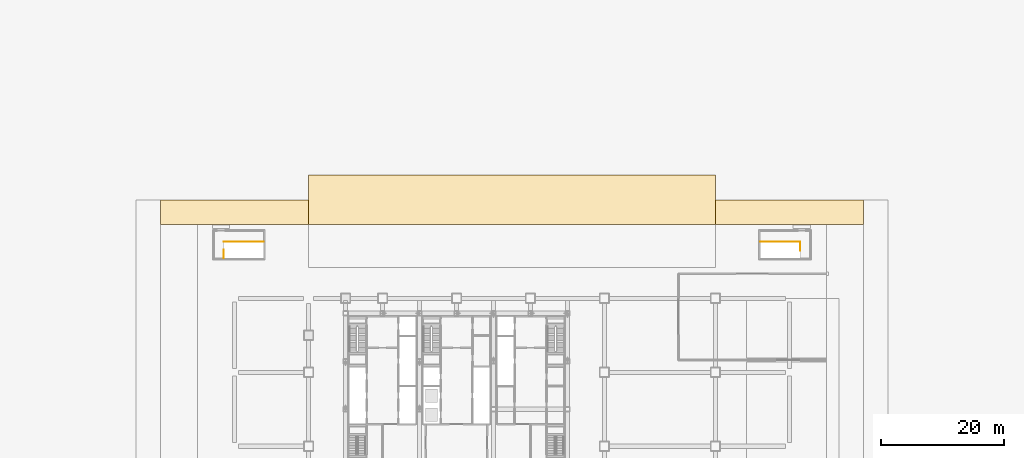
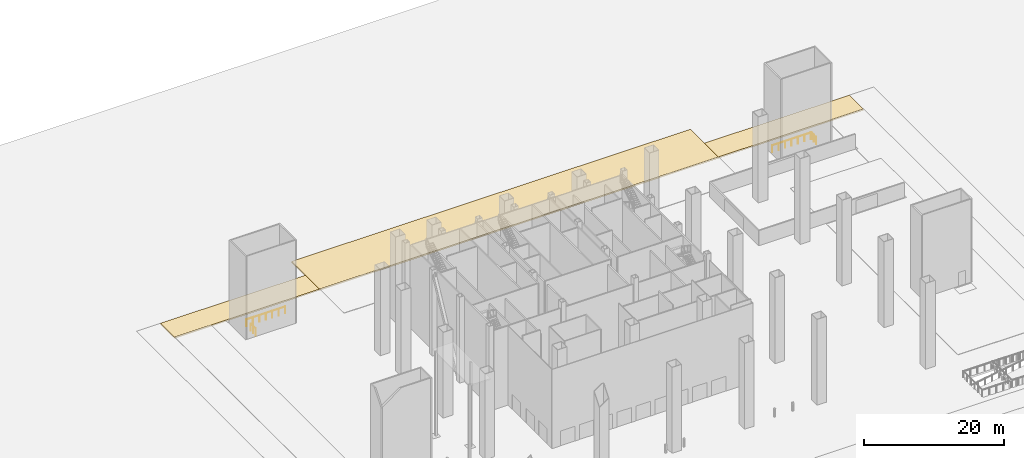
# One storey, part 20 of 22: 4 railings, 3 coverings.
"""IFC4 building model written with IfcOpenShell, lengths in metres."""

import ifcopenshell
import ifcopenshell.guid

model = None  # the IFC model being written
_history = None  # IfcOwnerHistory: only IFC2X3 demands one
_inside = {}  # id of a spatial element -> (the spatial element, [elements in it])
_under = {}  # id of a project, library or spatial element -> (it, [spatial elements below it])
_declared = {}  # id of a project -> (the project, [libraries it declares])
_typed = {}  # id of a type object -> (the type object, [elements of that type])
_made_of = {}  # id of a material, layer set ... -> (it, [elements and type objects made of it])


def new_model(schema):
    """Start an empty IFC model of exactly this schema.

    Asked for "IFC4X3", IfcOpenShell would pick the latest addendum, in which some entities
    have other attributes; the version numbers below select the first issue.
    IFC2X3 requires an IfcOwnerHistory on every rooted entity: one is made here for all.
    """
    global model, _history
    if schema == "IFC4X3":
        model = ifcopenshell.file(schema_version=(4, 3, 0, 0))
    else:
        model = ifcopenshell.file(schema=schema)
    _inside.clear()
    _under.clear()
    _declared.clear()
    _typed.clear()
    _made_of.clear()
    _history = None
    if model.schema == "IFC2X3":
        org = make("IfcOrganization", Name="unknown")
        user = make(
            "IfcPersonAndOrganization",
            ThePerson=make("IfcPerson", FamilyName="unknown"),
            TheOrganization=org,
        )
        app = make(
            "IfcApplication",
            ApplicationDeveloper=org,
            Version="unknown",
            ApplicationFullName="unknown",
            ApplicationIdentifier="unknown",
        )
        _history = make(
            "IfcOwnerHistory",
            OwningUser=user,
            OwningApplication=app,
            ChangeAction="ADDED",
            CreationDate=0,
        )
    return model


def make(cls, **values):
    """One entity of the class cls with the attributes given. An attribute that is None is left unset."""
    return model.create_entity(
        cls, **{name: value for name, value in values.items() if value is not None}
    )


def rooted(cls, **values):
    """An entity with a GlobalId (a new one), such as an element, a storey or a relation."""
    return make(cls, GlobalId=ifcopenshell.guid.new(), OwnerHistory=_history, **values)


def si_unit(unit_type, name, prefix=None):
    """IfcSIUnit, for example si_unit("LENGTHUNIT", "METRE", prefix="MILLI")."""
    return make("IfcSIUnit", UnitType=unit_type, Prefix=prefix, Name=name)


def assignment(units):
    """IfcUnitAssignment: the units of a project."""
    return None if units is None else make("IfcUnitAssignment", Units=units)


def point(xyz):
    """IfcCartesianPoint."""
    return None if xyz is None else make("IfcCartesianPoint", Coordinates=xyz)


def direction(xyz):
    """IfcDirection."""
    return None if xyz is None else make("IfcDirection", DirectionRatios=xyz)


def frame(location, z_axis=None, x_axis=None):
    """IfcAxis2Placement3D, a coordinate frame: its origin and axes. An axis left out is left unset."""
    return make(
        "IfcAxis2Placement3D",
        Location=point(location),
        Axis=direction(z_axis),
        RefDirection=direction(x_axis),
    )


def frame_2d(location, x_axis=None):
    """IfcAxis2Placement2D, a coordinate frame in the plane: its origin and x axis."""
    return make(
        "IfcAxis2Placement2D", Location=point(location), RefDirection=direction(x_axis)
    )


def origin():
    """The frame at (0, 0, 0) with its axes left unset."""
    return frame((0.0, 0.0, 0.0))


def origin_2d():
    """The frame at (0, 0) in the plane with its x axis left unset."""
    return frame_2d((0.0, 0.0))


def place(relative_to, where):
    """IfcLocalPlacement: puts the frame where relative to a parent placement (None: the world)."""
    return make(
        "IfcLocalPlacement", PlacementRelTo=relative_to, RelativePlacement=where
    )


def context(
    kind, dimensions, precision=None, world=None, true_north=None, identifier=None
):
    """IfcGeometricRepresentationContext, for example the 3D "Model" context."""
    return make(
        "IfcGeometricRepresentationContext",
        ContextIdentifier=identifier,
        ContextType=kind,
        CoordinateSpaceDimension=dimensions,
        Precision=precision,
        WorldCoordinateSystem=world,
        TrueNorth=true_north,
    )


def subcontext(parent, identifier, kind, view, scale=None):
    """IfcGeometricRepresentationSubContext, for example "Body" below "Model"."""
    return make(
        "IfcGeometricRepresentationSubContext",
        ContextIdentifier=identifier,
        ContextType=kind,
        ParentContext=parent,
        TargetScale=scale,
        TargetView=view,
    )


def project(units=None, contexts=None):
    """IfcProject with its units and contexts."""
    return rooted(
        "IfcProject",
        Name="project",
        RepresentationContexts=contexts,
        UnitsInContext=assignment(units),
    )


def spatial(cls, under=None, at=None, **own):
    """A site, building, storey or space (cls), placed at a placement, below another one or the project."""
    s = rooted(cls, ObjectPlacement=at, **own)
    if under is not None:
        _under.setdefault(under.id(), (under, []))[1].append(s)
    return s


def polyline(points):
    """IfcPolyline through the points."""
    return make("IfcPolyline", Points=[point(p) for p in points])


def profile(cls, at=None, kind="AREA", **sizes):
    """A parametric profile (cls). Its sizes go by their IFC names, for example OverallWidth=200.0."""
    return make(cls, ProfileType=kind, Position=at, **sizes)


def circle(**sizes):
    """IfcCircleProfileDef."""
    return profile("IfcCircleProfileDef", **sizes)


def outline(outer, holes=None, kind="AREA"):
    """IfcArbitraryClosedProfileDef: a profile drawn as a closed curve; with holes, ...WithVoids."""
    if holes is None:
        return make("IfcArbitraryClosedProfileDef", ProfileType=kind, OuterCurve=outer)
    return make(
        "IfcArbitraryProfileDefWithVoids",
        ProfileType=kind,
        OuterCurve=outer,
        InnerCurves=holes,
    )


def extrude(swept, where, along, depth):
    """IfcExtrudedAreaSolid: the profile swept, set in the frame where, extruded along a direction by depth."""
    return make(
        "IfcExtrudedAreaSolid",
        SweptArea=swept,
        Position=where,
        ExtrudedDirection=direction(along),
        Depth=depth,
    )


def shape(context_of_items, identifier, shape_type, items):
    """IfcShapeRepresentation: the items that make up one representation, for example the "Body"."""
    return make(
        "IfcShapeRepresentation",
        ContextOfItems=context_of_items,
        RepresentationIdentifier=identifier,
        RepresentationType=shape_type,
        Items=items,
    )


def material(Name=None, Category=None):
    """IfcMaterial."""
    return make("IfcMaterial", Name=Name, Category=Category)


def layer(
    of_material, thickness, ventilated=None, Name=None, Category=None, Priority=None
):
    """IfcMaterialLayer: one layer of a wall or slab, of a material (None: an air gap)."""
    return make(
        "IfcMaterialLayer",
        Material=of_material,
        LayerThickness=thickness,
        IsVentilated=ventilated,
        Name=Name,
        Category=Category,
        Priority=Priority,
    )


def layer_set(layers, Name=None):
    """IfcMaterialLayerSet."""
    return make("IfcMaterialLayerSet", MaterialLayers=layers, LayerSetName=Name)


def made_of(thing, what):
    """Note that an element or type object is made of a material, layer set ...; save() writes the relation."""
    if what is not None:
        _made_of.setdefault(what.id(), (what, []))[1].append(thing)
    return thing


def type_object(cls, material=None, **own):
    """A type object (cls), such as IfcWallType, which elements share."""
    return made_of(rooted(cls, **own), material)


def element(
    cls,
    number,
    at=None,
    inside=None,
    cuts=None,
    type_object=None,
    material=None,
    context=None,
    identifier="Body",
    shape_type=None,
    held_by="IfcProductDefinitionShape",
    body=None,
    shapes=None,
    **own,
):
    """One element of the class cls, such as IfcWall. Its Tag is "e" and its number.

    at: its placement. inside: the storey or other place that contains it. cuts: it is an
    opening in that element (IfcRelVoidsElement). A single representation is given by context,
    identifier, shape_type and body (its items); several are given by shapes. held_by: the class
    of the entity that holds the representations. save() writes the other relations.
    """
    e = rooted(cls, Tag="e%d" % number, ObjectPlacement=at, **own)
    if body is not None:
        shapes = [shape(context, identifier, shape_type, body)]
    if shapes is not None:
        e.Representation = make(held_by, Representations=shapes)
    if inside is not None:
        _inside.setdefault(inside.id(), (inside, []))[1].append(e)
    if cuts is not None:
        rooted(
            "IfcRelVoidsElement", RelatingBuildingElement=cuts, RelatedOpeningElement=e
        )
    if type_object is not None:
        _typed.setdefault(type_object.id(), (type_object, []))[1].append(e)
    return made_of(e, material)


def aggregate(whole, parts):
    """IfcRelAggregates: a whole, such as a stair, and the parts it consists of."""
    return rooted("IfcRelAggregates", RelatingObject=whole, RelatedObjects=parts)


def save(model, path):
    """Write the relations noted so far, then the file.

    IfcRelAggregates (storeys below a building ...), IfcRelContainedInSpatialStructure (elements
    in a storey), IfcRelDefinesByType, IfcRelAssociatesMaterial and IfcRelDeclares: one each for
    every whole, place, type object, material and project.
    """
    for whole, parts in _under.values():
        aggregate(whole, parts)
    for where, things in _inside.values():
        rooted(
            "IfcRelContainedInSpatialStructure",
            RelatedElements=things,
            RelatingStructure=where,
        )
    for kind, things in _typed.values():
        rooted("IfcRelDefinesByType", RelatedObjects=things, RelatingType=kind)
    for what, things in _made_of.values():
        rooted("IfcRelAssociatesMaterial", RelatedObjects=things, RelatingMaterial=what)
    for by, libraries in _declared.values():
        rooted("IfcRelDeclares", RelatingContext=by, RelatedDefinitions=libraries)
    model.write(path)


model = new_model("IFC4")

# Units and contexts
model_context = context("Model", 3, precision=1e-05, world=origin(), true_north=direction((0.0, 1.0)))
body_context = subcontext(model_context, "Body", "Model", "MODEL_VIEW")
ifc_project = project(units=[si_unit("LENGTHUNIT", "METRE"), si_unit("AREAUNIT", "SQUARE_METRE"), si_unit("VOLUMEUNIT", "CUBIC_METRE"), si_unit("PLANEANGLEUNIT", "RADIAN"), si_unit("MASSUNIT", "GRAM", prefix="KILO")], contexts=[model_context])

# Site, building, storey
site_placement = place(None, origin())
site = spatial("IfcSite", under=ifc_project, at=site_placement, CompositionType="ELEMENT")
building_placement = place(site_placement, origin())
building = spatial("IfcBuilding", under=site, at=building_placement, Name="Sorahane Residences", CompositionType="ELEMENT")
storey_placement = place(building_placement, origin())
storey = spatial("IfcBuildingStorey", under=building, at=storey_placement, Name="L00", CompositionType="ELEMENT", Elevation=0.0)

# Coverings
ifc_material_1 = material(Name="Concrete paving on compacted granular sub-base", Category="concrete")
ifc_layer_1 = layer(ifc_material_1, 0.25)
ifc_layer_set_1 = layer_set([ifc_layer_1], Name="Appliance hardstanding paving concrete 250")
covering_type_1 = type_object("IfcCoveringType", Name="Appliance hardstanding paving concrete 250", PredefinedType="USERDEFINED", material=ifc_layer_set_1)
covering_1_placement = place(storey_placement, frame((0.0, 0.0, -0.25)))
element("IfcCovering", 1, at=covering_1_placement, inside=storey, type_object=covering_type_1, Name="Appliance hardstanding north slab", ObjectType="PAVING", PredefinedType="USERDEFINED", context=body_context, shape_type="SweptSolid", body=[
    extrude(outline(polyline([(0.0, 68.0), (66.0, 68.0), (66.0, 60.0), (0.0, 60.0), (0.0, 68.0)])), origin(), (0.0, 0.0, 1.0), 0.25),
])
ifc_material_2 = material(Name="Concrete paving on compacted granular sub-base", Category="concrete")
ifc_layer_2 = layer(ifc_material_2, 0.25)
ifc_layer_set_2 = layer_set([ifc_layer_2], Name="Fire lane paving concrete 250")
covering_type_2 = type_object("IfcCoveringType", Name="Fire lane paving concrete 250", PredefinedType="USERDEFINED", material=ifc_layer_set_2)
covering_2_placement = place(storey_placement, frame((0.0, 0.0, -0.25)))
element("IfcCovering", 2, at=covering_2_placement, inside=storey, type_object=covering_type_2, Name="Fire lane north 1", ObjectType="PAVING", PredefinedType="USERDEFINED", context=body_context, shape_type="SweptSolid", body=[
    extrude(outline(polyline([(-24.0, 60.0), (-24.0, 64.0), (0.0, 64.0), (0.0, 60.0), (-24.0, 60.0)])), origin(), (0.0, 0.0, 1.0), 0.25),
])
covering_3_placement = place(storey_placement, frame((0.0, 0.0, -0.25)))
element("IfcCovering", 3, at=covering_3_placement, inside=storey, type_object=covering_type_2, Name="Fire lane north 2", ObjectType="PAVING", PredefinedType="USERDEFINED", context=body_context, shape_type="SweptSolid", body=[
    extrude(outline(polyline([(90.0, 64.0), (90.0, 60.0), (66.0, 60.0), (66.0, 64.0), (90.0, 64.0)])), origin(), (0.0, 0.0, 1.0), 0.25),
])

# Railings
ifc_material_3 = material(Name="Steel Q355B", Category="steel")
railing_type = type_object("IfcRailingType", Name="Stair guard 1200 Steel Q355B", PredefinedType="GUARDRAIL", material=ifc_material_3)
railing_1_placement = place(storey_placement, frame((-13.75, 54.5, 0.0)))
element("IfcRailing", 4, at=railing_1_placement, inside=storey, type_object=railing_type, Name="L00 BS1 top well guard 1", PredefinedType="GUARDRAIL", context=body_context, shape_type="SweptSolid", body=[
    extrude(circle(Radius=0.02392578125, at=origin_2d()), frame((0.0, 0.0, 1.23583984375), z_axis=(0.0, 1.0, 0.0), x_axis=(-1.0, 0.0, 0.0)), (0.0, 0.0, 1.0), 1.39990234375),
    extrude(circle(Radius=0.02099609375, at=origin_2d()), origin(), (0.0, 0.0, 1.0), 1.2119140625),
    extrude(circle(Radius=0.02099609375, at=origin_2d()), frame((0.0, 0.699951171875, 0.0)), (0.0, 0.0, 1.0), 1.2119140625),
    extrude(circle(Radius=0.02099609375, at=origin_2d()), frame((0.0, 1.39990234375, 0.0)), (0.0, 0.0, 1.0), 1.2119140625),
])
railing_2_placement = place(storey_placement, frame((-13.699951171875, 57.199951171875, 0.0)))
element("IfcRailing", 5, at=railing_2_placement, inside=storey, type_object=railing_type, Name="L00 Basement stair BS1 guard", PredefinedType="GUARDRAIL", context=body_context, shape_type="SweptSolid", body=[
    extrude(circle(Radius=0.02392578125, at=origin_2d()), frame((0.0, 0.0, 1.17578125), z_axis=(1.0, 0.0, 0.0), x_axis=(0.0, 1.0, 0.0)), (0.0, 0.0, 1.0), 6.39990234375),
    extrude(circle(Radius=0.02099609375, at=origin_2d()), origin(), (0.0, 0.0, 1.0), 1.15185546875),
    extrude(circle(Radius=0.02099609375, at=origin_2d()), frame((1.066650390625, 0.0, 0.0)), (0.0, 0.0, 1.0), 1.15185546875),
    extrude(circle(Radius=0.02099609375, at=origin_2d()), frame((2.13330078125, 0.0, 0.0)), (0.0, 0.0, 1.0), 1.15185546875),
    extrude(circle(Radius=0.02099609375, at=origin_2d()), frame((3.199951171875, 0.0, 0.0)), (0.0, 0.0, 1.0), 1.15185546875),
    extrude(circle(Radius=0.02099609375, at=origin_2d()), frame((4.2666015625, 0.0, 0.0)), (0.0, 0.0, 1.0), 1.15185546875),
    extrude(circle(Radius=0.02099609375, at=origin_2d()), frame((5.333251953125, 0.0, 0.0)), (0.0, 0.0, 1.0), 1.15185546875),
    extrude(circle(Radius=0.02099609375, at=origin_2d()), frame((6.39990234375, 0.0, 0.0)), (0.0, 0.0, 1.0), 1.15185546875),
])
railing_3_placement = place(storey_placement, frame((79.75, 57.14990234375, 0.0)))
element("IfcRailing", 6, at=railing_3_placement, inside=storey, type_object=railing_type, Name="L00 BS2 top well guard 1", PredefinedType="GUARDRAIL", context=body_context, shape_type="SweptSolid", body=[
    extrude(circle(Radius=0.02392578125, at=origin_2d()), frame((0.0, 0.0, 1.23583984375), z_axis=(0.0, -1.0, 0.0), x_axis=(1.0, 0.0, 0.0)), (0.0, 0.0, 1.0), 1.39990234375),
    extrude(circle(Radius=0.02099609375, at=origin_2d()), origin(), (0.0, 0.0, 1.0), 1.2119140625),
    extrude(circle(Radius=0.02099609375, at=origin_2d()), frame((0.0, -0.699951171875, 0.0)), (0.0, 0.0, 1.0), 1.2119140625),
    extrude(circle(Radius=0.02099609375, at=origin_2d()), frame((0.0, -1.39990234375, 0.0)), (0.0, 0.0, 1.0), 1.2119140625),
])
railing_4_placement = place(storey_placement, frame((73.300048828125, 57.199951171875, 0.0)))
element("IfcRailing", 7, at=railing_4_placement, inside=storey, type_object=railing_type, Name="L00 Basement stair BS2 guard", PredefinedType="GUARDRAIL", context=body_context, shape_type="SweptSolid", body=[
    extrude(circle(Radius=0.02392578125, at=origin_2d()), frame((0.0, 0.0, 1.17578125), z_axis=(1.0, 0.0, 0.0), x_axis=(0.0, 1.0, 0.0)), (0.0, 0.0, 1.0), 6.39990234375),
    extrude(circle(Radius=0.02099609375, at=origin_2d()), origin(), (0.0, 0.0, 1.0), 1.15185546875),
    extrude(circle(Radius=0.02099609375, at=origin_2d()), frame((1.066650390625, 0.0, 0.0)), (0.0, 0.0, 1.0), 1.15185546875),
    extrude(circle(Radius=0.02099609375, at=origin_2d()), frame((2.13330078125, 0.0, 0.0)), (0.0, 0.0, 1.0), 1.15185546875),
    extrude(circle(Radius=0.02099609375, at=origin_2d()), frame((3.199951171875, 0.0, 0.0)), (0.0, 0.0, 1.0), 1.15185546875),
    extrude(circle(Radius=0.02099609375, at=origin_2d()), frame((4.2666015625, 0.0, 0.0)), (0.0, 0.0, 1.0), 1.15185546875),
    extrude(circle(Radius=0.02099609375, at=origin_2d()), frame((5.333251953125, 0.0, 0.0)), (0.0, 0.0, 1.0), 1.15185546875),
    extrude(circle(Radius=0.02099609375, at=origin_2d()), frame((6.39990234375, 0.0, 0.0)), (0.0, 0.0, 1.0), 1.15185546875),
])

save(model, "model.ifc")
